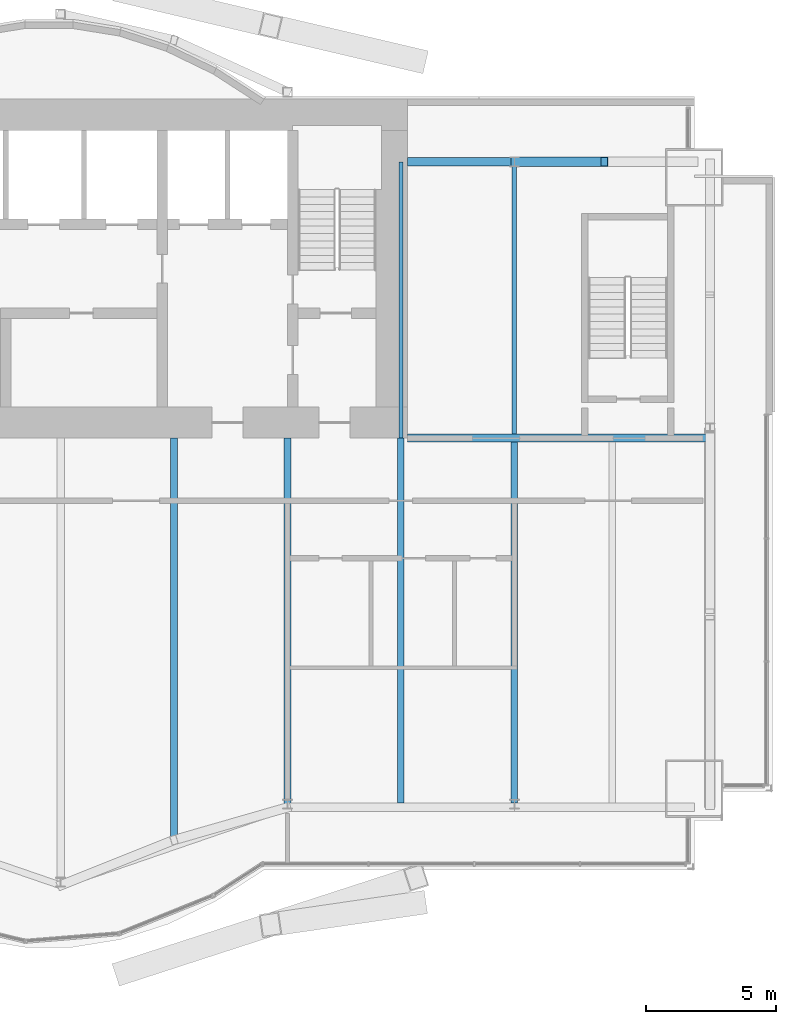
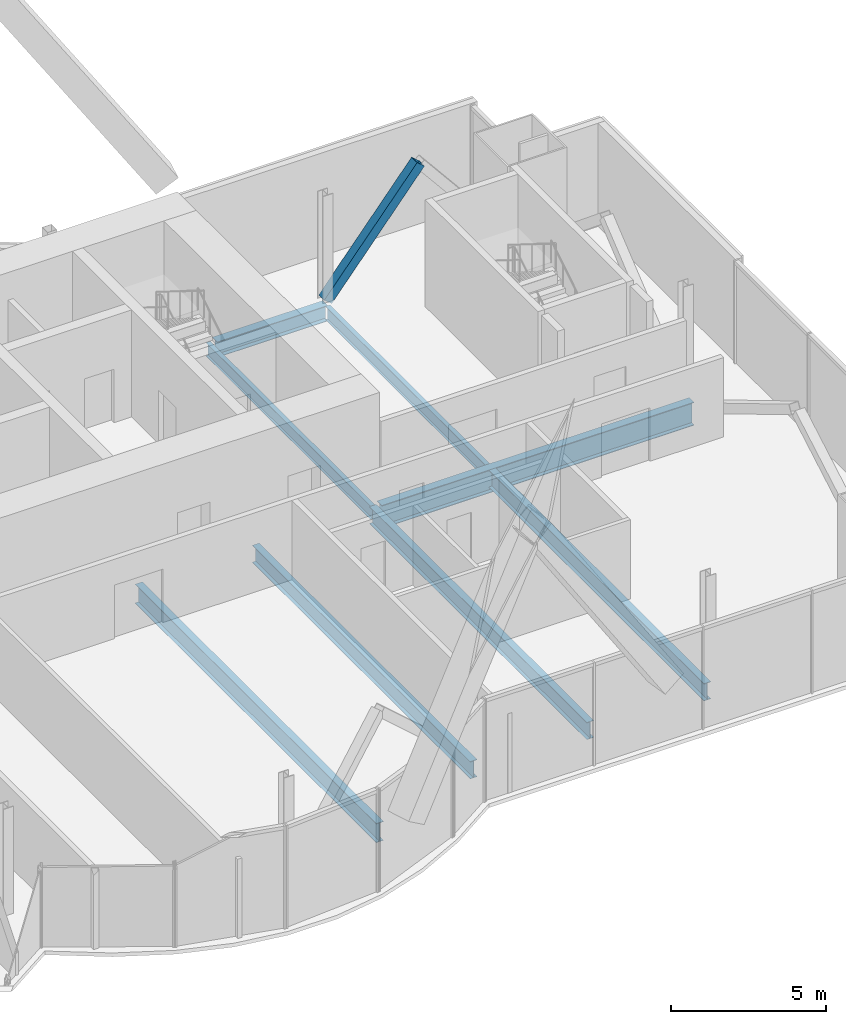
# One storey, part 11 of 22: 8 beams, 1 member.
"""IFC4 building model written with IfcOpenShell, lengths in metres."""

from ifc_helpers import new_model, si_unit, direction, frame, origin, origin_2d, place, context, subcontext, project, spatial, hollow_rectangle, i_section, extrude, material, material_profile, profile_set, type_object, element, save


model = new_model("IFC4")

# Units and contexts
model_context = context("Model", 3, precision=1e-05, world=origin(), true_north=direction((0.0, 1.0)))
body_context = subcontext(model_context, "Body", "Model", "MODEL_VIEW")
ifc_project = project(units=[si_unit("LENGTHUNIT", "METRE"), si_unit("AREAUNIT", "SQUARE_METRE"), si_unit("VOLUMEUNIT", "CUBIC_METRE"), si_unit("PLANEANGLEUNIT", "RADIAN"), si_unit("MASSUNIT", "GRAM", prefix="KILO")], contexts=[model_context])

# Site, building, storey
site_placement = place(None, origin())
site = spatial("IfcSite", under=ifc_project, at=site_placement, CompositionType="ELEMENT")
building_placement = place(site_placement, origin())
building = spatial("IfcBuilding", under=site, at=building_placement, Name="Bicima Exchange Tower", CompositionType="ELEMENT")
storey_placement = place(building_placement, frame((0.0, 0.0, 254.0)))
storey = spatial("IfcBuildingStorey", under=building, at=storey_placement, Name="L57", CompositionType="ELEMENT", Elevation=254.0)

# Beams
ifc_material_1 = material(Name="Steel ASTM A992 Gr 50", Category="steel")
ifc_material_profile_1 = material_profile(ifc_material_1, i_section(OverallWidth=0.3046875, OverallDepth=0.911865234375, WebThickness=0.015869140625, FlangeThickness=0.02392578125, at=origin_2d()))
ifc_profile_set_1 = profile_set([ifc_material_profile_1], Name="Steel ASTM A992 Gr 50")
beam_type_1 = type_object("IfcBeamType", Name="Core-line girder W36x150", PredefinedType="BEAM", material=ifc_profile_set_1)
beam_1_placement = place(storey_placement, frame((22.0, -13.0, -0.60595703125), z_axis=(1.0, 0.0, 0.0), x_axis=(0.0, 1.0, 0.0)))
element("IfcBeam", 1, at=beam_1_placement, inside=storey, type_object=beam_type_1, Name="Core-line girder", PredefinedType="BEAM", context=body_context, shape_type="SweptSolid", body=[
    extrude(i_section(OverallWidth=0.3046875, OverallDepth=0.911865234375, WebThickness=0.015869140625, FlangeThickness=0.02392578125, at=origin_2d()), origin(), (0.0, 0.0, 1.0), 11.60009765625),
])
ifc_material_profile_2 = material_profile(ifc_material_1, i_section(OverallWidth=0.165771484375, OverallDepth=0.5283203125, WebThickness=0.009765625, FlangeThickness=0.013671875, at=origin_2d()))
ifc_profile_set_2 = profile_set([ifc_material_profile_2], Name="Steel ASTM A992 Gr 50")
beam_type_2 = type_object("IfcBeamType", Name="Floor beam W21x50", PredefinedType="JOIST", material=ifc_profile_set_2)
beam_2_placement = place(storey_placement, frame((21.75, -2.39990234375, -0.414306640625), z_axis=(0.0, -1.0, 0.0), x_axis=(1.0, 0.0, 0.0)))
element("IfcBeam", 2, at=beam_2_placement, inside=storey, type_object=beam_type_2, Name="Floor beam", PredefinedType="JOIST", context=body_context, shape_type="SweptSolid", body=[
    extrude(i_section(OverallWidth=0.165771484375, OverallDepth=0.5283203125, WebThickness=0.009765625, FlangeThickness=0.013671875, at=origin_2d()), origin(), (0.0, 0.0, 1.0), 10.60009765625),
])
beam_3_placement = place(storey_placement, frame((26.10009765625, -2.5625, -0.414306640625), z_axis=(0.0, -1.0, 0.0), x_axis=(1.0, 0.0, 0.0)))
element("IfcBeam", 3, at=beam_3_placement, inside=storey, type_object=beam_type_2, Name="Floor beam", PredefinedType="JOIST", context=body_context, shape_type="SweptSolid", body=[
    extrude(i_section(OverallWidth=0.165771484375, OverallDepth=0.5283203125, WebThickness=0.009765625, FlangeThickness=0.013671875, at=origin_2d()), origin(), (0.0, 0.0, 1.0), 10.28515625),
])
ifc_material_profile_3 = material_profile(ifc_material_1, i_section(OverallWidth=0.25390625, OverallDepth=0.67822265625, WebThickness=0.01171875, FlangeThickness=0.016357421875, at=origin_2d()))
ifc_profile_set_3 = profile_set([ifc_material_profile_3], Name="Steel ASTM A992 Gr 50")
beam_type_3 = type_object("IfcBeamType", Name="Floor beam W27x84", PredefinedType="JOIST", material=ifc_profile_set_3)
beam_4_placement = place(storey_placement, frame((17.39990234375, -13.0, -0.489013671875), z_axis=(0.0, -1.0, 0.0), x_axis=(1.0, 0.0, 0.0)))
element("IfcBeam", 4, at=beam_4_placement, inside=storey, type_object=beam_type_3, Name="Floor beam", PredefinedType="JOIST", context=body_context, shape_type="SweptSolid", body=[
    extrude(i_section(OverallWidth=0.25390625, OverallDepth=0.67822265625, WebThickness=0.01171875, FlangeThickness=0.016357421875, at=origin_2d()), origin(), (0.0, 0.0, 1.0), 14.0205078125),
])
beam_5_placement = place(storey_placement, frame((21.75, -13.0, -0.489013671875), z_axis=(0.0, -1.0, 0.0), x_axis=(1.0, 0.0, 0.0)))
element("IfcBeam", 5, at=beam_5_placement, inside=storey, type_object=beam_type_3, Name="Floor beam", PredefinedType="JOIST", context=body_context, shape_type="SweptSolid", body=[
    extrude(i_section(OverallWidth=0.25390625, OverallDepth=0.67822265625, WebThickness=0.01171875, FlangeThickness=0.016357421875, at=origin_2d()), origin(), (0.0, 0.0, 1.0), 13.993408203125),
])
beam_6_placement = place(storey_placement, frame((26.10009765625, -13.15234375, -0.489013671875), z_axis=(0.0, -1.0, 0.0), x_axis=(1.0, 0.0, 0.0)))
element("IfcBeam", 6, at=beam_6_placement, inside=storey, type_object=beam_type_3, Name="Floor beam", PredefinedType="JOIST", context=body_context, shape_type="SweptSolid", body=[
    extrude(i_section(OverallWidth=0.25390625, OverallDepth=0.67822265625, WebThickness=0.01171875, FlangeThickness=0.016357421875, at=origin_2d()), origin(), (0.0, 0.0, 1.0), 13.841064453125),
])
ifc_material_profile_4 = material_profile(ifc_material_1, i_section(OverallWidth=0.2666015625, OverallDepth=0.75439453125, WebThickness=0.01318359375, FlangeThickness=0.01708984375, at=origin_2d()))
ifc_profile_set_4 = profile_set([ifc_material_profile_4], Name="Steel ASTM A992 Gr 50")
beam_type_4 = type_object("IfcBeamType", Name="Floor beam W30x99", PredefinedType="JOIST", material=ifc_profile_set_4)
beam_7_placement = place(storey_placement, frame((13.050048828125, -13.0, -0.527099609375), z_axis=(0.0, -1.0, 0.0), x_axis=(1.0, 0.0, 0.0)))
element("IfcBeam", 7, at=beam_7_placement, inside=storey, type_object=beam_type_4, Name="Floor beam", PredefinedType="JOIST", context=body_context, shape_type="SweptSolid", body=[
    extrude(i_section(OverallWidth=0.2666015625, OverallDepth=0.75439453125, WebThickness=0.01318359375, FlangeThickness=0.01708984375, at=origin_2d()), origin(), (0.0, 0.0, 1.0), 15.515869140625),
])

# Member
ifc_material_2 = material(Name="Steel ASTM A572 Gr 50", Category="steel")
ifc_material_profile_5 = material_profile(ifc_material_2, hollow_rectangle(XDim=0.355712890625, YDim=0.355712890625, WallThickness=0.0146484375, at=origin_2d()))
ifc_profile_set_5 = profile_set([ifc_material_profile_5], Name="Steel ASTM A572 Gr 50")
member_type = type_object("IfcMemberType", Name="Mega brace HSS14x14x5/8", PredefinedType="BRACE", material=ifc_profile_set_5)
member_placement = place(storey_placement, frame((26.10009765625, -2.39990234375, 0.0), z_axis=(0.63473846547, 0.0, 0.772727041362), x_axis=(0.0, 1.0, 0.0)))
element("IfcMember", 8, at=member_placement, inside=storey, type_object=member_type, Name="Mega brace rear", PredefinedType="BRACE", context=body_context, shape_type="SweptSolid", body=[
    extrude(hollow_rectangle(XDim=0.355712890625, YDim=0.355712890625, WallThickness=0.0146484375, at=origin_2d()), origin(), (0.0, 0.0, 1.0), 5.435302734375),
])

# Beam
ifc_material_profile_6 = material_profile(ifc_material_1, i_section(OverallWidth=0.3251953125, OverallDepth=0.612060546875, WebThickness=0.0126953125, FlangeThickness=0.01904296875, at=origin_2d()))
ifc_profile_set_6 = profile_set([ifc_material_profile_6], Name="Steel ASTM A992 Gr 50")
beam_type_5 = type_object("IfcBeamType", Name="Rear girder W24x104", PredefinedType="BEAM", material=ifc_profile_set_6)
beam_8_placement = place(storey_placement, frame((22.0, -2.39990234375, -0.4560546875), z_axis=(1.0, 0.0, 0.0), x_axis=(0.0, 1.0, 0.0)))
element("IfcBeam", 9, at=beam_8_placement, inside=storey, type_object=beam_type_5, Name="Rear girder", PredefinedType="BEAM", context=body_context, shape_type="SweptSolid", body=[
    extrude(i_section(OverallWidth=0.3251953125, OverallDepth=0.612060546875, WebThickness=0.0126953125, FlangeThickness=0.01904296875, at=origin_2d()), origin(), (0.0, 0.0, 1.0), 4.10009765625),
])

save(model, "model.ifc")
